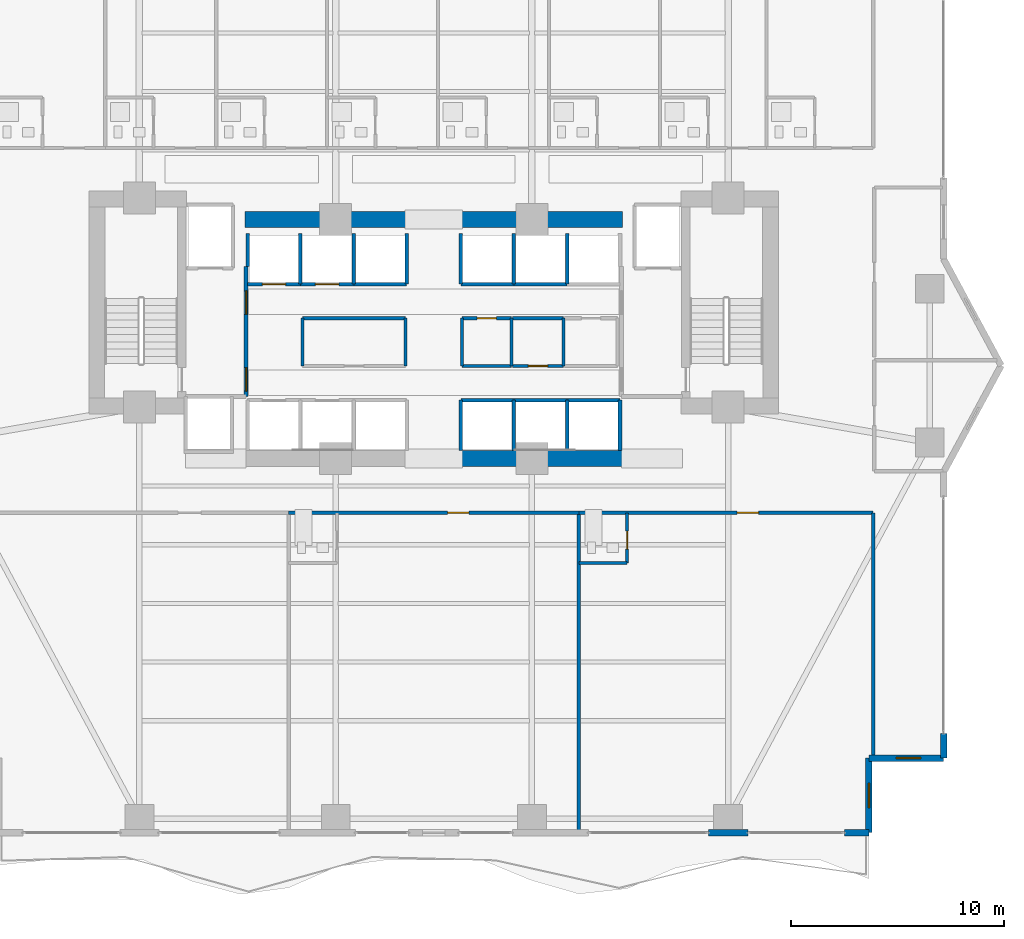
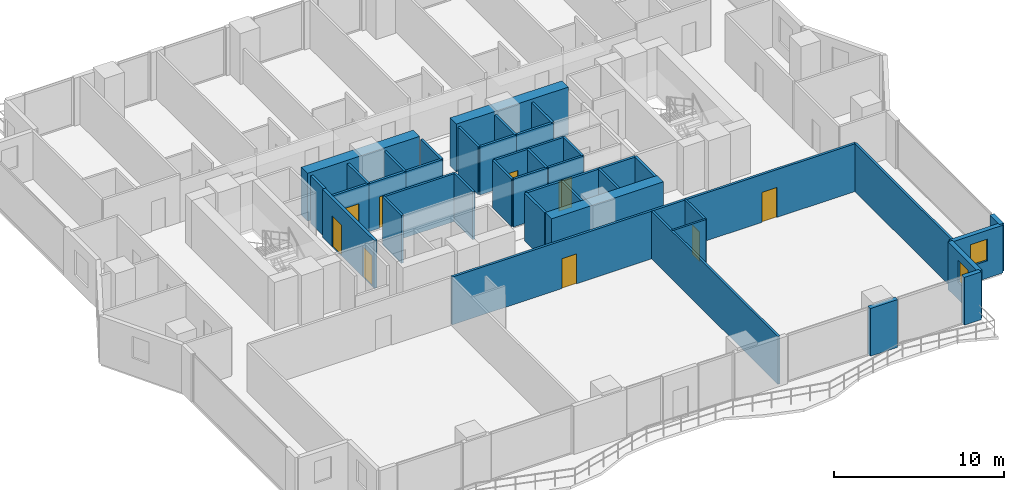
# One storey, part 22 of 29: 44 walls, 9 doors, 2 windows, 11 openings.
"""IFC4 building model written with IfcOpenShell, lengths in metres."""

from ifc_helpers import new_model, si_unit, direction, frame, frame_2d, origin, place, context, subcontext, project, spatial, rectangle, extrude, material, layer, layer_set, type_object, element, fill, save


model = new_model("IFC4")

# Units and contexts
model_context = context("Model", 3, precision=1e-05, world=origin(), true_north=direction((0.0, 1.0)))
body_context = subcontext(model_context, "Body", "Model", "MODEL_VIEW")
ifc_project = project(units=[si_unit("LENGTHUNIT", "METRE"), si_unit("AREAUNIT", "SQUARE_METRE"), si_unit("VOLUMEUNIT", "CUBIC_METRE"), si_unit("PLANEANGLEUNIT", "RADIAN"), si_unit("MASSUNIT", "GRAM", prefix="KILO")], contexts=[model_context])

# Site, building, storey
site_placement = place(None, origin())
site = spatial("IfcSite", under=ifc_project, at=site_placement, CompositionType="ELEMENT")
building_placement = place(site_placement, origin())
building = spatial("IfcBuilding", under=site, at=building_placement, Name="Zuhayl Quay Hotel", CompositionType="ELEMENT")
storey_placement = place(building_placement, frame((0.0, 0.0, 113.89990234375)))
storey = spatial("IfcBuildingStorey", under=building, at=storey_placement, Name="L28", CompositionType="ELEMENT", Elevation=113.89990234375)

# Walls
ifc_material_1 = material(Name="Concrete C60/75", Category="concrete")
ifc_layer_1 = layer(ifc_material_1, 0.75, Name="Concrete C60/75", Category="concrete")
ifc_layer_set_1 = layer_set([ifc_layer_1], Name="Concrete C60/75")
wall_type_1 = type_object("IfcWallType", Name="WL_CORE_750", PredefinedType="SHEAR", material=ifc_layer_set_1)
for number, where, z_axis, x_axis, name in (
    (1, (1.25, 2.14990234375, 0.0), (0.0, 0.0, 1.0), (1.0, 0.0, 0.0), "L28 Core Shear Wall CW_SC_E"),
    (2, (-8.85009765625, 13.35009765625, 0.0), (0.0, 0.0, 1.0), (1.0, 0.0, 0.0), "L28 Core Shear Wall CW_NC_W"),
    (3, (1.25, 13.35009765625, 0.0), (0.0, 0.0, 1.0), (1.0, 0.0, 0.0), "L28 Core Shear Wall CW_NC_E"),
):
    element("IfcWall", number, at=place(storey_placement, frame(where, z_axis=z_axis, x_axis=x_axis)), inside=storey, type_object=wall_type_1, Name=name, PredefinedType="SHEAR", context=body_context, shape_type="SweptSolid", body=[
        extrude(rectangle(XDim=7.60009765625, YDim=0.75, at=frame_2d((3.800048828125, 0.0))), origin(), (0.0, 0.0, 1.0), 3.43017578125),
    ])
ifc_material_2 = material(Name="Precast concrete C45/55", Category="concrete")
ifc_layer_2 = layer(ifc_material_2, 0.300048828125, Name="Precast concrete C45/55", Category="concrete")
ifc_layer_set_2 = layer_set([ifc_layer_2], Name="Precast concrete C45/55")
wall_type_2 = type_object("IfcWallType", Name="WL_EXT_300", PredefinedType="STANDARD", material=ifc_layer_set_2)
wall_1_placement = place(storey_placement, frame((23.89990234375, -10.75, 0.0), z_axis=(0.0, 0.0, 1.0), x_axis=(0.0, -1.0, 0.0)))
element("IfcWall", 4, at=wall_1_placement, inside=storey, type_object=wall_type_2, Name="L28 Exterior Precast Wall ENV_L28_E14_EW2", PredefinedType="STANDARD", context=body_context, shape_type="SweptSolid", body=[
    extrude(rectangle(XDim=1.14990234375, YDim=0.300048828125, at=frame_2d((0.574951171875, 0.0))), origin(), (0.0, 0.0, 1.0), 3.43017578125),
])

# Wall, opening, window
wall_2_placement = place(storey_placement, frame((23.89990234375, -11.89990234375, 0.0), z_axis=(0.0, 0.0, 1.0), x_axis=(-1.0, 0.0, 0.0)))
wall_2 = element("IfcWall", 5, at=wall_2_placement, inside=storey, type_object=wall_type_2, Name="L28 Exterior Precast Wall ENV_L28_EW15", PredefinedType="STANDARD", context=body_context, shape_type="SweptSolid", body=[
    extrude(rectangle(XDim=3.5, YDim=0.300048828125, at=frame_2d((1.75, 0.0))), origin(), (0.0, 0.0, 1.0), 3.43017578125),
])
opening_1_placement = place(wall_2_placement, frame((1.06494140625, 0.0, 1.25)))
opening_1 = element("IfcOpeningElement", 6, at=opening_1_placement, cuts=wall_2, Name="Opening W01N", PredefinedType="OPENING", context=body_context, shape_type="SweptSolid", body=[
    extrude(rectangle(XDim=1.14990234375, YDim=1.550048828125, at=frame_2d((0.574951171875, 0.77490234375))), frame((0.0, 0.159912109375, 0.0), z_axis=(0.0, -1.0, 0.0), x_axis=(1.0, 0.0, 0.0)), (0.0, 0.0, 1.0), 0.320068359375),
])
ifc_material_3 = material(Name="Dark Ceramic-Fritted Solar Glass", Category="glass")
window_type = type_object("IfcWindowType", Name="WN_NOTCH_1350", PartitioningType="SINGLE_PANEL", PredefinedType="WINDOW", material=ifc_material_3)
window_1_placement = place(opening_1_placement, origin())
window_1 = element("IfcWindow", 7, at=window_1_placement, inside=storey, type_object=window_type, Name="L28 Corner Notch Window 15", OverallHeight=1.550048828125, OverallWidth=1.14990234375, PartitioningType="SINGLE_PANEL", PredefinedType="WINDOW", context=body_context, shape_type="SweptSolid", body=[
    extrude(rectangle(XDim=1.14990234375, YDim=1.550048828125, at=frame_2d((0.574951171875, 0.77490234375))), frame((0.0, 0.030029296875, 0.0), z_axis=(0.0, -1.0, 0.0), x_axis=(1.0, 0.0, 0.0)), (0.0, 0.0, 1.0), 0.06005859375),
])
fill(opening_1, window_1)

wall_3_placement = place(storey_placement, frame((20.39990234375, -11.89990234375, 0.0), z_axis=(0.0, 0.0, 1.0), x_axis=(0.0, -1.0, 0.0)))
wall_3 = element("IfcWall", 8, at=wall_3_placement, inside=storey, type_object=wall_type_2, Name="L28 Exterior Precast Wall ENV_L28_EW16", PredefinedType="STANDARD", context=body_context, shape_type="SweptSolid", body=[
    extrude(rectangle(XDim=3.5, YDim=0.300048828125, at=frame_2d((1.75, 0.0))), origin(), (0.0, 0.0, 1.0), 3.43017578125),
])
opening_2_placement = place(wall_3_placement, frame((1.18505859375, 0.0, 1.25)))
opening_2 = element("IfcOpeningElement", 9, at=opening_2_placement, cuts=wall_3, Name="Opening W01N", PredefinedType="OPENING", context=body_context, shape_type="SweptSolid", body=[
    extrude(rectangle(XDim=1.14990234375, YDim=1.550048828125, at=frame_2d((0.574951171875, 0.77490234375))), frame((0.0, 0.159912109375, 0.0), z_axis=(0.0, -1.0, 0.0), x_axis=(1.0, 0.0, 0.0)), (0.0, 0.0, 1.0), 0.320068359375),
])
window_2_placement = place(opening_2_placement, origin())
window_2 = element("IfcWindow", 10, at=window_2_placement, inside=storey, type_object=window_type, Name="L28 Corner Notch Window 16", OverallHeight=1.550048828125, OverallWidth=1.14990234375, PartitioningType="SINGLE_PANEL", PredefinedType="WINDOW", context=body_context, shape_type="SweptSolid", body=[
    extrude(rectangle(XDim=1.14990234375, YDim=1.550048828125, at=frame_2d((0.574951171875, 0.77490234375))), frame((0.0, 0.030029296875, 0.0), z_axis=(0.0, -1.0, 0.0), x_axis=(1.0, 0.0, 0.0)), (0.0, 0.0, 1.0), 0.06005859375),
])
fill(opening_2, window_2)

# Walls
wall_4_placement = place(storey_placement, frame((20.39990234375, -15.39990234375, 0.0), z_axis=(0.0, 0.0, 1.0), x_axis=(-1.0, 0.0, 0.0)))
element("IfcWall", 11, at=wall_4_placement, inside=storey, type_object=wall_type_2, Name="L28 Exterior Precast Wall ENV_L28_S_EW1", PredefinedType="STANDARD", context=body_context, shape_type="SweptSolid", body=[
    extrude(rectangle(XDim=1.14990234375, YDim=0.300048828125, at=frame_2d((0.574951171875, 0.0))), origin(), (0.0, 0.0, 1.0), 3.43017578125),
])
wall_5_placement = place(storey_placement, frame((14.719970703125, -15.39990234375, 0.0), z_axis=(0.0, 0.0, 1.0), x_axis=(-1.0, 0.0, 0.0)))
element("IfcWall", 12, at=wall_5_placement, inside=storey, type_object=wall_type_2, Name="L28 Exterior Precast Wall ENV_L28_S_EW2", PredefinedType="STANDARD", context=body_context, shape_type="SweptSolid", body=[
    extrude(rectangle(XDim=1.840087890625, YDim=0.300048828125, at=frame_2d((0.919921875, 0.0))), origin(), (0.0, 0.0, 1.0), 3.43017578125),
])

# Wall, opening, door
ifc_material_4 = material(Name="Acoustic Gypsum Partition STC-58")
ifc_layer_3 = layer(ifc_material_4, 0.14990234375, Name="Acoustic Gypsum Partition STC-58")
ifc_layer_set_3 = layer_set([ifc_layer_3], Name="Acoustic Gypsum Partition STC-58")
wall_type_3 = type_object("IfcWallType", Name="WL_PART_150", PredefinedType="PARTITIONING", material=ifc_layer_set_3)
wall_6_placement = place(storey_placement, frame((1.320068359375, 8.719970703125, 0.0), z_axis=(0.0, 0.0, 1.0), x_axis=(1.0, 0.0, 0.0)))
wall_6 = element("IfcWall", 13, at=wall_6_placement, inside=storey, type_object=wall_type_3, Name="L28 Partition IW_L28_CORE_E1_N", PredefinedType="PARTITIONING", context=body_context, shape_type="SweptSolid", body=[
    extrude(rectangle(XDim=2.31982421875, YDim=0.14990234375, at=frame_2d((1.159912109375, 0.0))), origin(), (0.0, 0.0, 1.0), 3.43017578125),
])
opening_3_placement = place(wall_6_placement, frame((0.7099609375, 0.0, 0.0)))
opening_3 = element("IfcOpeningElement", 14, at=opening_3_placement, cuts=wall_6, Name="Opening D06", PredefinedType="OPENING", context=body_context, shape_type="SweptSolid", body=[
    extrude(rectangle(XDim=0.89990234375, YDim=2.14990234375, at=frame_2d((0.449951171875, 1.074951171875))), frame((0.0, 0.0849609375, 0.0), z_axis=(0.0, -1.0, 0.0), x_axis=(1.0, 0.0, 0.0)), (0.0, 0.0, 1.0), 0.169921875),
])
ifc_material_5 = material(Name="Steel ASTM A992 Grade 50", Category="steel")
door_type_1 = type_object("IfcDoorType", Name="DR_INT_900", OperationType="NOTDEFINED", PredefinedType="DOOR", material=ifc_material_5)
door_1_placement = place(opening_3_placement, origin())
door_1 = element("IfcDoor", 15, at=door_1_placement, inside=storey, type_object=door_type_1, Name="L28 Floor Electrical Closet Door", OperationType="SINGLE_SWING_RIGHT", OverallHeight=2.14990234375, OverallWidth=0.89990234375, PredefinedType="DOOR", context=body_context, shape_type="SweptSolid", body=[
    extrude(rectangle(XDim=0.89990234375, YDim=2.14990234375, at=frame_2d((0.449951171875, 1.074951171875))), frame((0.0, 0.02490234375, 0.0), z_axis=(0.0, -1.0, 0.0), x_axis=(1.0, 0.0, 0.0)), (0.0, 0.0, 1.0), 0.050048828125),
])
fill(opening_3, door_1)

wall_7_placement = place(storey_placement, frame((3.699951171875, 6.47998046875, 0.0), z_axis=(0.0, 0.0, 1.0), x_axis=(1.0, 0.0, 0.0)))
wall_7 = element("IfcWall", 16, at=wall_7_placement, inside=storey, type_object=wall_type_3, Name="L28 Partition IW_L28_CORE_E2_S", PredefinedType="PARTITIONING", context=body_context, shape_type="SweptSolid", body=[
    extrude(rectangle(XDim=2.380126953125, YDim=0.14990234375, at=frame_2d((1.18994140625, 0.0))), origin(), (0.0, 0.0, 1.0), 3.43017578125),
])
opening_4_placement = place(wall_7_placement, frame((0.739990234375, 0.0, 0.0)))
opening_4 = element("IfcOpeningElement", 17, at=opening_4_placement, cuts=wall_7, Name="Opening D06", PredefinedType="OPENING", context=body_context, shape_type="SweptSolid", body=[
    extrude(rectangle(XDim=0.89990234375, YDim=2.14990234375, at=frame_2d((0.449951171875, 1.074951171875))), frame((0.0, 0.0849609375, 0.0), z_axis=(0.0, -1.0, 0.0), x_axis=(1.0, 0.0, 0.0)), (0.0, 0.0, 1.0), 0.169921875),
])
door_2_placement = place(opening_4_placement, origin())
door_2 = element("IfcDoor", 18, at=door_2_placement, inside=storey, type_object=door_type_1, Name="L28 Data Closet Door", OperationType="SINGLE_SWING_LEFT", OverallHeight=2.14990234375, OverallWidth=0.89990234375, PredefinedType="DOOR", context=body_context, shape_type="SweptSolid", body=[
    extrude(rectangle(XDim=0.89990234375, YDim=2.14990234375, at=frame_2d((0.449951171875, 1.074951171875))), frame((0.0, 0.02490234375, 0.0), z_axis=(0.0, -1.0, 0.0), x_axis=(1.0, 0.0, 0.0)), (0.0, 0.0, 1.0), 0.050048828125),
])
fill(opening_4, door_2)

# Walls
wall_8_placement = place(storey_placement, frame((-6.159912109375, 8.719970703125, 0.0), z_axis=(0.0, 0.0, 1.0), x_axis=(1.0, 0.0, 0.0)))
element("IfcWall", 19, at=wall_8_placement, inside=storey, type_object=wall_type_3, Name="L28 Partition IW_L28_CORE_SV_N", PredefinedType="PARTITIONING", context=body_context, shape_type="SweptSolid", body=[
    extrude(rectangle(XDim=4.83984375, YDim=0.14990234375, at=frame_2d((2.419921875, 0.0))), origin(), (0.0, 0.0, 1.0), 3.43017578125),
])
for number, where, z_axis, x_axis, name in (
    (20, (-6.159912109375, 6.47998046875, 0.0), (0.0, 0.0, 1.0), (0.0, 1.0, 0.0), "L28 Partition IW_L28_CORE_SV_W"),
    (21, (-1.320068359375, 6.47998046875, 0.0), (0.0, 0.0, 1.0), (0.0, 1.0, 0.0), "L28 Partition IW_L28_CORE_SV_E"),
):
    element("IfcWall", number, at=place(storey_placement, frame(where, z_axis=z_axis, x_axis=x_axis)), inside=storey, type_object=wall_type_3, Name=name, PredefinedType="PARTITIONING", context=body_context, shape_type="SweptSolid", body=[
        extrude(rectangle(XDim=2.239990234375, YDim=0.14990234375, at=frame_2d((1.1201171875, 0.0))), origin(), (0.0, 0.0, 1.0), 3.43017578125),
    ])
wall_9_placement = place(storey_placement, frame((1.320068359375, 6.47998046875, 0.0), z_axis=(0.0, 0.0, 1.0), x_axis=(1.0, 0.0, 0.0)))
element("IfcWall", 22, at=wall_9_placement, inside=storey, type_object=wall_type_3, Name="L28 Partition IW_L28_CORE_E1_S", PredefinedType="PARTITIONING", context=body_context, shape_type="SweptSolid", body=[
    extrude(rectangle(XDim=2.31982421875, YDim=0.14990234375, at=frame_2d((1.159912109375, 0.0))), origin(), (0.0, 0.0, 1.0), 3.43017578125),
])
for number, where, z_axis, x_axis, name in (
    (23, (1.320068359375, 6.47998046875, 0.0), (0.0, 0.0, 1.0), (0.0, 1.0, 0.0), "L28 Partition IW_L28_CORE_E1_W"),
    (24, (3.639892578125, 6.47998046875, 0.0), (0.0, 0.0, 1.0), (0.0, 1.0, 0.0), "L28 Partition IW_L28_CORE_E1_E"),
):
    element("IfcWall", number, at=place(storey_placement, frame(where, z_axis=z_axis, x_axis=x_axis)), inside=storey, type_object=wall_type_3, Name=name, PredefinedType="PARTITIONING", context=body_context, shape_type="SweptSolid", body=[
        extrude(rectangle(XDim=2.239990234375, YDim=0.14990234375, at=frame_2d((1.1201171875, 0.0))), origin(), (0.0, 0.0, 1.0), 3.43017578125),
    ])
wall_10_placement = place(storey_placement, frame((3.699951171875, 8.719970703125, 0.0), z_axis=(0.0, 0.0, 1.0), x_axis=(1.0, 0.0, 0.0)))
element("IfcWall", 25, at=wall_10_placement, inside=storey, type_object=wall_type_3, Name="L28 Partition IW_L28_CORE_E2_N", PredefinedType="PARTITIONING", context=body_context, shape_type="SweptSolid", body=[
    extrude(rectangle(XDim=2.380126953125, YDim=0.14990234375, at=frame_2d((1.18994140625, 0.0))), origin(), (0.0, 0.0, 1.0), 3.43017578125),
])
wall_11_placement = place(storey_placement, frame((6.080078125, 6.47998046875, 0.0), z_axis=(0.0, 0.0, 1.0), x_axis=(0.0, 1.0, 0.0)))
element("IfcWall", 26, at=wall_11_placement, inside=storey, type_object=wall_type_3, Name="L28 Partition IW_L28_CORE_E2_E", PredefinedType="PARTITIONING", context=body_context, shape_type="SweptSolid", body=[
    extrude(rectangle(XDim=2.239990234375, YDim=0.14990234375, at=frame_2d((1.1201171875, 0.0))), origin(), (0.0, 0.0, 1.0), 3.43017578125),
])
wall_12_placement = place(storey_placement, frame((6.800048828125, -15.320068359375, 0.0), z_axis=(0.0, 0.0, 1.0), x_axis=(0.0, 1.0, 0.0)))
element("IfcWall", 27, at=wall_12_placement, inside=storey, type_object=wall_type_3, Name="L28 Partition IW_L28_SU02_E", PredefinedType="PARTITIONING", context=body_context, shape_type="SweptSolid", body=[
    extrude(rectangle(XDim=14.920166015625, YDim=0.14990234375, at=frame_2d((7.4599609375, 0.0))), origin(), (0.0, 0.0, 1.0), 3.43017578125),
])
wall_13_placement = place(storey_placement, frame((20.60009765625, -11.89990234375, 0.0), z_axis=(0.0, 0.0, 1.0), x_axis=(0.0, 1.0, 0.0)))
element("IfcWall", 28, at=wall_13_placement, inside=storey, type_object=wall_type_3, Name="L28 Partition IW_L28_SU03_E", PredefinedType="PARTITIONING", context=body_context, shape_type="SweptSolid", body=[
    extrude(rectangle(XDim=11.5, YDim=0.14990234375, at=frame_2d((5.75, 0.0))), origin(), (0.0, 0.0, 1.0), 3.43017578125),
])

# Wall, opening, door
ifc_layer_4 = layer(ifc_material_4, 0.159912109375, Name="Acoustic Gypsum Partition STC-58")
ifc_layer_set_4 = layer_set([ifc_layer_4], Name="Acoustic Gypsum Partition STC-58")
wall_type_4 = type_object("IfcWallType", Name="WL_PART_CORR_160", PredefinedType="PARTITIONING", material=ifc_layer_set_4)
wall_14_placement = place(storey_placement, frame((-6.800048828125, -0.39990234375, 0.0), z_axis=(0.0, 0.0, 1.0), x_axis=(1.0, 0.0, 0.0)))
wall_14 = element("IfcWall", 29, at=wall_14_placement, inside=storey, type_object=wall_type_4, Name="L28 Partition IW_L28_SU02_COR", PredefinedType="PARTITIONING", context=body_context, shape_type="SweptSolid", body=[
    extrude(rectangle(XDim=13.60009765625, YDim=0.159912109375, at=frame_2d((6.800048828125, 0.0))), origin(), (0.0, 0.0, 1.0), 3.43017578125),
])
opening_5_placement = place(wall_14_placement, frame((7.449951171875, 0.0, 0.0)))
opening_5 = element("IfcOpeningElement", 30, at=opening_5_placement, cuts=wall_14, Name="Opening D03L", PredefinedType="OPENING", context=body_context, shape_type="SweptSolid", body=[
    extrude(rectangle(XDim=1.0, YDim=2.14990234375, at=frame_2d((0.5, 1.074951171875))), frame((0.0, 0.08984375, 0.0), z_axis=(0.0, -1.0, 0.0), x_axis=(1.0, 0.0, 0.0)), (0.0, 0.0, 1.0), 0.179931640625),
])
ifc_material_6 = material(Name="Solid Walnut Acoustic Fire Door")
door_type_2 = type_object("IfcDoorType", Name="DR_SUITE_1000", OperationType="NOTDEFINED", PredefinedType="DOOR", material=ifc_material_6)
door_3_placement = place(opening_5_placement, origin())
door_3 = element("IfcDoor", 31, at=door_3_placement, inside=storey, type_object=door_type_2, Name="L28 City-View Junior Suite L28-02 Entrance Door", OperationType="SINGLE_SWING_LEFT", OverallHeight=2.14990234375, OverallWidth=1.0, PredefinedType="DOOR", context=body_context, shape_type="SweptSolid", body=[
    extrude(rectangle(XDim=1.0, YDim=2.14990234375, at=frame_2d((0.5, 1.074951171875))), frame((0.0, 0.02490234375, 0.0), z_axis=(0.0, -1.0, 0.0), x_axis=(1.0, 0.0, 0.0)), (0.0, 0.0, 1.0), 0.050048828125),
])
fill(opening_5, door_3)

wall_15_placement = place(storey_placement, frame((6.800048828125, -0.39990234375, 0.0), z_axis=(0.0, 0.0, 1.0), x_axis=(1.0, 0.0, 0.0)))
wall_15 = element("IfcWall", 32, at=wall_15_placement, inside=storey, type_object=wall_type_4, Name="L28 Partition IW_L28_SU03_COR", PredefinedType="PARTITIONING", context=body_context, shape_type="SweptSolid", body=[
    extrude(rectangle(XDim=13.800048828125, YDim=0.159912109375, at=frame_2d((6.89990234375, 0.0))), origin(), (0.0, 0.0, 1.0), 3.43017578125),
])
opening_6_placement = place(wall_15_placement, frame((7.425048828125, 0.0, 0.0)))
opening_6 = element("IfcOpeningElement", 33, at=opening_6_placement, cuts=wall_15, Name="Opening D03L", PredefinedType="OPENING", context=body_context, shape_type="SweptSolid", body=[
    extrude(rectangle(XDim=1.0, YDim=2.14990234375, at=frame_2d((0.5, 1.074951171875))), frame((0.0, 0.08984375, 0.0), z_axis=(0.0, -1.0, 0.0), x_axis=(1.0, 0.0, 0.0)), (0.0, 0.0, 1.0), 0.179931640625),
])
door_4_placement = place(opening_6_placement, origin())
door_4 = element("IfcDoor", 34, at=door_4_placement, inside=storey, type_object=door_type_2, Name="L28 City-View Junior Suite L28-03 Entrance Door", OperationType="SINGLE_SWING_LEFT", OverallHeight=2.14990234375, OverallWidth=1.0, PredefinedType="DOOR", context=body_context, shape_type="SweptSolid", body=[
    extrude(rectangle(XDim=1.0, YDim=2.14990234375, at=frame_2d((0.5, 1.074951171875))), frame((0.0, 0.02490234375, 0.0), z_axis=(0.0, -1.0, 0.0), x_axis=(1.0, 0.0, 0.0)), (0.0, 0.0, 1.0), 0.050048828125),
])
fill(opening_6, door_4)

ifc_material_7 = material(Name="Moisture-Resistant Sanitarychase Gypsum")
ifc_layer_5 = layer(ifc_material_7, 0.135009765625, Name="Moisture-Resistant Sanitarychase Gypsum")
ifc_layer_set_5 = layer_set([ifc_layer_5], Name="Moisture-Resistant Sanitarychase Gypsum")
wall_type_5 = type_object("IfcWallType", Name="WL_PART_PLUMB_150", PredefinedType="PLUMBINGWALL", material=ifc_layer_set_5)
wall_16_placement = place(storey_placement, frame((9.06005859375, -2.760009765625, 0.0), z_axis=(0.0, 0.0, 1.0), x_axis=(0.0, 1.0, 0.0)))
wall_16 = element("IfcWall", 35, at=wall_16_placement, inside=storey, type_object=wall_type_5, Name="L28 Partition IW_L28_SU03_BE", PredefinedType="PLUMBINGWALL", context=body_context, shape_type="SweptSolid", body=[
    extrude(rectangle(XDim=2.360107421875, YDim=0.135009765625, at=frame_2d((1.18017578125, 0.0))), origin(), (0.0, 0.0, 1.0), 3.43017578125),
])
opening_7_placement = place(wall_16_placement, frame((0.64990234375, 0.0, 0.0)))
opening_7 = element("IfcOpeningElement", 36, at=opening_7_placement, cuts=wall_16, Name="Opening D04", PredefinedType="OPENING", context=body_context, shape_type="SweptSolid", body=[
    extrude(rectangle(XDim=0.85009765625, YDim=2.10009765625, at=frame_2d((0.425048828125, 1.050048828125))), frame((0.0, 0.077392578125, 0.0), z_axis=(0.0, -1.0, 0.0), x_axis=(1.0, 0.0, 0.0)), (0.0, 0.0, 1.0), 0.155029296875),
])
ifc_material_8 = material(Name="Moisture-Resistant Walnut Veneer")
door_type_3 = type_object("IfcDoorType", Name="DR_BATH_850", OperationType="NOTDEFINED", PredefinedType="DOOR", material=ifc_material_8)
door_5_placement = place(opening_7_placement, origin())
door_5 = element("IfcDoor", 37, at=door_5_placement, inside=storey, type_object=door_type_3, Name="L28 City-View Junior Suite L28-03 En-Suite Door", OperationType="SINGLE_SWING_RIGHT", OverallHeight=2.10009765625, OverallWidth=0.85009765625, PredefinedType="DOOR", context=body_context, shape_type="SweptSolid", body=[
    extrude(rectangle(XDim=0.85009765625, YDim=2.10009765625, at=frame_2d((0.425048828125, 1.050048828125))), frame((0.0, 0.02490234375, 0.0), z_axis=(0.0, -1.0, 0.0), x_axis=(1.0, 0.0, 0.0)), (0.0, 0.0, 1.0), 0.050048828125),
])
fill(opening_7, door_5)

# Wall
wall_17_placement = place(storey_placement, frame((6.800048828125, -2.760009765625, 0.0), z_axis=(0.0, 0.0, 1.0), x_axis=(1.0, 0.0, 0.0)))
element("IfcWall", 38, at=wall_17_placement, inside=storey, type_object=wall_type_5, Name="L28 Partition IW_L28_SU03_BS", PredefinedType="PLUMBINGWALL", context=body_context, shape_type="SweptSolid", body=[
    extrude(rectangle(XDim=2.260009765625, YDim=0.135009765625, at=frame_2d((1.1298828125, 0.0))), origin(), (0.0, 0.0, 1.0), 3.43017578125),
])

# Wall, opening, door
ifc_material_9 = material(Name="Gypsum Fireboard Assembly EI-90")
ifc_layer_6 = layer(ifc_material_9, 0.1650390625, Name="Gypsum Fireboard Assembly EI-90")
ifc_layer_set_6 = layer_set([ifc_layer_6], Name="Gypsum Fireboard Assembly EI-90")
wall_type_6 = type_object("IfcWallType", Name="WL_PART_SHAFT_160", PredefinedType="PARTITIONING", material=ifc_layer_set_6)
wall_18_placement = place(storey_placement, frame((-8.72998046875, 10.320068359375, 0.0), z_axis=(0.0, 0.0, 1.0), x_axis=(1.0, 0.0, 0.0)))
wall_18 = element("IfcWall", 39, at=wall_18_placement, inside=storey, type_object=wall_type_6, Name="L28 Partition IW_L28_SH_LP3_F", PredefinedType="PARTITIONING", context=body_context, shape_type="SweptSolid", body=[
    extrude(rectangle(XDim=2.47998046875, YDim=0.1650390625, at=frame_2d((1.239990234375, 0.0))), origin(), (0.0, 0.0, 1.0), 3.43017578125),
])
opening_8_placement = place(wall_18_placement, frame((0.68994140625, 0.0, 0.0)))
opening_8 = element("IfcOpeningElement", 40, at=opening_8_placement, cuts=wall_18, Name="Opening LD1", PredefinedType="OPENING", context=body_context, shape_type="SweptSolid", body=[
    extrude(rectangle(XDim=1.10009765625, YDim=2.25, at=frame_2d((0.550048828125, 1.125))), frame((0.0, 0.092529296875, 0.0), z_axis=(0.0, -1.0, 0.0), x_axis=(1.0, 0.0, 0.0)), (0.0, 0.0, 1.0), 0.18505859375),
])
ifc_material_10 = material(Name="Brushed Stainless Steel", Category="steel")
door_type_4 = type_object("IfcDoorType", Name="DR_LIFT_PASS_1100", OperationType="SLIDING_TO_LEFT", PredefinedType="DOOR", material=ifc_material_10)
door_6_placement = place(opening_8_placement, origin())
door_6 = element("IfcDoor", 41, at=door_6_placement, inside=storey, type_object=door_type_4, Name="L28 Lift LP3 Sliding Landing Door", OperationType="SLIDING_TO_LEFT", OverallHeight=2.25, OverallWidth=1.10009765625, PredefinedType="DOOR", context=body_context, shape_type="SweptSolid", body=[
    extrude(rectangle(XDim=1.10009765625, YDim=2.25, at=frame_2d((0.550048828125, 1.125))), frame((0.0, 0.02490234375, 0.0), z_axis=(0.0, -1.0, 0.0), x_axis=(1.0, 0.0, 0.0)), (0.0, 0.0, 1.0), 0.050048828125),
])
fill(opening_8, door_6)

wall_19_placement = place(storey_placement, frame((-6.25, 10.320068359375, 0.0), z_axis=(0.0, 0.0, 1.0), x_axis=(1.0, 0.0, 0.0)))
wall_19 = element("IfcWall", 42, at=wall_19_placement, inside=storey, type_object=wall_type_6, Name="L28 Partition IW_L28_SH_LP4_F", PredefinedType="PARTITIONING", context=body_context, shape_type="SweptSolid", body=[
    extrude(rectangle(XDim=2.5, YDim=0.1650390625, at=frame_2d((1.25, 0.0))), origin(), (0.0, 0.0, 1.0), 3.43017578125),
])
opening_9_placement = place(wall_19_placement, frame((0.699951171875, 0.0, 0.0)))
opening_9 = element("IfcOpeningElement", 43, at=opening_9_placement, cuts=wall_19, Name="Opening LD1", PredefinedType="OPENING", context=body_context, shape_type="SweptSolid", body=[
    extrude(rectangle(XDim=1.10009765625, YDim=2.25, at=frame_2d((0.550048828125, 1.125))), frame((0.0, 0.092529296875, 0.0), z_axis=(0.0, -1.0, 0.0), x_axis=(1.0, 0.0, 0.0)), (0.0, 0.0, 1.0), 0.18505859375),
])
door_7_placement = place(opening_9_placement, origin())
door_7 = element("IfcDoor", 44, at=door_7_placement, inside=storey, type_object=door_type_4, Name="L28 Lift LP4 Sliding Landing Door", OperationType="SLIDING_TO_LEFT", OverallHeight=2.25, OverallWidth=1.10009765625, PredefinedType="DOOR", context=body_context, shape_type="SweptSolid", body=[
    extrude(rectangle(XDim=1.10009765625, YDim=2.25, at=frame_2d((0.550048828125, 1.125))), frame((0.0, 0.02490234375, 0.0), z_axis=(0.0, -1.0, 0.0), x_axis=(1.0, 0.0, 0.0)), (0.0, 0.0, 1.0), 0.050048828125),
])
fill(opening_9, door_7)

# Walls
wall_20_placement = place(storey_placement, frame((-8.72998046875, 11.14990234375, 0.0), z_axis=(0.0, 0.0, 1.0), x_axis=(0.0, 1.0, 0.0)))
element("IfcWall", 45, at=wall_20_placement, inside=storey, type_object=wall_type_6, Name="L28 Partition IW_L28_SH_LP3_W", PredefinedType="PARTITIONING", context=body_context, shape_type="SweptSolid", body=[
    extrude(rectangle(XDim=1.530029296875, YDim=0.1650390625, at=frame_2d((0.76513671875, 0.0))), origin(), (0.0, 0.0, 1.0), 3.43017578125),
])
for number, where, z_axis, x_axis, name in (
    (46, (-6.25, 10.320068359375, 0.0), (0.0, 0.0, 1.0), (0.0, 1.0, 0.0), "L28 Partition IW_L28_SH_LP3_E"),
    (47, (-3.75, 10.320068359375, 0.0), (0.0, 0.0, 1.0), (0.0, 1.0, 0.0), "L28 Partition IW_L28_SH_LP4_E"),
):
    element("IfcWall", number, at=place(storey_placement, frame(where, z_axis=z_axis, x_axis=x_axis)), inside=storey, type_object=wall_type_6, Name=name, PredefinedType="PARTITIONING", context=body_context, shape_type="SweptSolid", body=[
        extrude(rectangle(XDim=2.35986328125, YDim=0.1650390625, at=frame_2d((1.179931640625, 0.0))), origin(), (0.0, 0.0, 1.0), 3.43017578125),
    ])
wall_21_placement = place(storey_placement, frame((1.27001953125, 4.8798828125, 0.0), z_axis=(0.0, 0.0, 1.0), x_axis=(1.0, 0.0, 0.0)))
element("IfcWall", 48, at=wall_21_placement, inside=storey, type_object=wall_type_6, Name="L28 Partition IW_L28_SH_MP2_F", PredefinedType="PARTITIONING", context=body_context, shape_type="SweptSolid", body=[
    extrude(rectangle(XDim=2.47998046875, YDim=0.1650390625, at=frame_2d((1.239990234375, 0.0))), origin(), (0.0, 0.0, 1.0), 3.43017578125),
])
for number, where, z_axis, x_axis, name in (
    (49, (1.27001953125, 2.52001953125, 0.0), (0.0, 0.0, 1.0), (0.0, 1.0, 0.0), "L28 Partition IW_L28_SH_MP2_W"),
    (50, (3.75, 2.52001953125, 0.0), (0.0, 0.0, 1.0), (0.0, 1.0, 0.0), "L28 Partition IW_L28_SH_MP2_E"),
):
    element("IfcWall", number, at=place(storey_placement, frame(where, z_axis=z_axis, x_axis=x_axis)), inside=storey, type_object=wall_type_6, Name=name, PredefinedType="PARTITIONING", context=body_context, shape_type="SweptSolid", body=[
        extrude(rectangle(XDim=2.35986328125, YDim=0.1650390625, at=frame_2d((1.179931640625, 0.0))), origin(), (0.0, 0.0, 1.0), 3.43017578125),
    ])
wall_22_placement = place(storey_placement, frame((-3.75, 10.320068359375, 0.0), z_axis=(0.0, 0.0, 1.0), x_axis=(1.0, 0.0, 0.0)))
element("IfcWall", 51, at=wall_22_placement, inside=storey, type_object=wall_type_6, Name="L28 Partition IW_L28_SH_MP3_F", PredefinedType="PARTITIONING", context=body_context, shape_type="SweptSolid", body=[
    extrude(rectangle(XDim=2.47998046875, YDim=0.1650390625, at=frame_2d((1.239990234375, 0.0))), origin(), (0.0, 0.0, 1.0), 3.43017578125),
])
wall_23_placement = place(storey_placement, frame((-1.27001953125, 10.320068359375, 0.0), z_axis=(0.0, 0.0, 1.0), x_axis=(0.0, 1.0, 0.0)))
element("IfcWall", 52, at=wall_23_placement, inside=storey, type_object=wall_type_6, Name="L28 Partition IW_L28_SH_MP3_E", PredefinedType="PARTITIONING", context=body_context, shape_type="SweptSolid", body=[
    extrude(rectangle(XDim=2.35986328125, YDim=0.1650390625, at=frame_2d((1.179931640625, 0.0))), origin(), (0.0, 0.0, 1.0), 3.43017578125),
])
wall_24_placement = place(storey_placement, frame((1.27001953125, 10.320068359375, 0.0), z_axis=(0.0, 0.0, 1.0), x_axis=(1.0, 0.0, 0.0)))
element("IfcWall", 53, at=wall_24_placement, inside=storey, type_object=wall_type_6, Name="L28 Partition IW_L28_SH_MP4_F", PredefinedType="PARTITIONING", context=body_context, shape_type="SweptSolid", body=[
    extrude(rectangle(XDim=2.47998046875, YDim=0.1650390625, at=frame_2d((1.239990234375, 0.0))), origin(), (0.0, 0.0, 1.0), 3.43017578125),
])
for number, where, z_axis, x_axis, name in (
    (54, (1.27001953125, 10.320068359375, 0.0), (0.0, 0.0, 1.0), (0.0, 1.0, 0.0), "L28 Partition IW_L28_SH_MP4_W"),
    (55, (3.75, 10.320068359375, 0.0), (0.0, 0.0, 1.0), (0.0, 1.0, 0.0), "L28 Partition IW_L28_SH_MP4_E"),
):
    element("IfcWall", number, at=place(storey_placement, frame(where, z_axis=z_axis, x_axis=x_axis)), inside=storey, type_object=wall_type_6, Name=name, PredefinedType="PARTITIONING", context=body_context, shape_type="SweptSolid", body=[
        extrude(rectangle(XDim=2.35986328125, YDim=0.1650390625, at=frame_2d((1.179931640625, 0.0))), origin(), (0.0, 0.0, 1.0), 3.43017578125),
    ])
wall_25_placement = place(storey_placement, frame((3.75, 4.8798828125, 0.0), z_axis=(0.0, 0.0, 1.0), x_axis=(1.0, 0.0, 0.0)))
element("IfcWall", 56, at=wall_25_placement, inside=storey, type_object=wall_type_6, Name="L28 Partition IW_L28_SH_HP1_F", PredefinedType="PARTITIONING", context=body_context, shape_type="SweptSolid", body=[
    extrude(rectangle(XDim=2.5, YDim=0.1650390625, at=frame_2d((1.25, 0.0))), origin(), (0.0, 0.0, 1.0), 3.43017578125),
])
wall_26_placement = place(storey_placement, frame((6.25, 2.52001953125, 0.0), z_axis=(0.0, 0.0, 1.0), x_axis=(0.0, 1.0, 0.0)))
element("IfcWall", 57, at=wall_26_placement, inside=storey, type_object=wall_type_6, Name="L28 Partition IW_L28_SH_HP1_E", PredefinedType="PARTITIONING", context=body_context, shape_type="SweptSolid", body=[
    extrude(rectangle(XDim=2.35986328125, YDim=0.1650390625, at=frame_2d((1.179931640625, 0.0))), origin(), (0.0, 0.0, 1.0), 3.43017578125),
])
wall_27_placement = place(storey_placement, frame((6.25, 4.8798828125, 0.0), z_axis=(0.0, 0.0, 1.0), x_axis=(1.0, 0.0, 0.0)))
element("IfcWall", 58, at=wall_27_placement, inside=storey, type_object=wall_type_6, Name="L28 Partition IW_L28_SH_HP2_F", PredefinedType="PARTITIONING", context=body_context, shape_type="SweptSolid", body=[
    extrude(rectangle(XDim=2.47998046875, YDim=0.1650390625, at=frame_2d((1.239990234375, 0.0))), origin(), (0.0, 0.0, 1.0), 3.43017578125),
])
wall_28_placement = place(storey_placement, frame((8.72998046875, 2.52001953125, 0.0), z_axis=(0.0, 0.0, 1.0), x_axis=(0.0, 1.0, 0.0)))
element("IfcWall", 59, at=wall_28_placement, inside=storey, type_object=wall_type_6, Name="L28 Partition IW_L28_SH_HP2_E", PredefinedType="PARTITIONING", context=body_context, shape_type="SweptSolid", body=[
    extrude(rectangle(XDim=2.35986328125, YDim=0.1650390625, at=frame_2d((1.179931640625, 0.0))), origin(), (0.0, 0.0, 1.0), 3.43017578125),
])
wall_29_placement = place(storey_placement, frame((3.75, 10.320068359375, 0.0), z_axis=(0.0, 0.0, 1.0), x_axis=(1.0, 0.0, 0.0)))
element("IfcWall", 60, at=wall_29_placement, inside=storey, type_object=wall_type_6, Name="L28 Partition IW_L28_SH_HP3_F", PredefinedType="PARTITIONING", context=body_context, shape_type="SweptSolid", body=[
    extrude(rectangle(XDim=2.5, YDim=0.1650390625, at=frame_2d((1.25, 0.0))), origin(), (0.0, 0.0, 1.0), 3.43017578125),
])
wall_30_placement = place(storey_placement, frame((6.25, 10.320068359375, 0.0), z_axis=(0.0, 0.0, 1.0), x_axis=(0.0, 1.0, 0.0)))
element("IfcWall", 61, at=wall_30_placement, inside=storey, type_object=wall_type_6, Name="L28 Partition IW_L28_SH_HP3_E", PredefinedType="PARTITIONING", context=body_context, shape_type="SweptSolid", body=[
    extrude(rectangle(XDim=2.35986328125, YDim=0.1650390625, at=frame_2d((1.179931640625, 0.0))), origin(), (0.0, 0.0, 1.0), 3.43017578125),
])

# Wall, openings, doors
ifc_material_11 = material(Name="Gypsum Fireboard Assembly EI-120")
ifc_layer_7 = layer(ifc_material_11, 0.199951171875, Name="Gypsum Fireboard Assembly EI-120")
ifc_layer_set_7 = layer_set([ifc_layer_7], Name="Gypsum Fireboard Assembly EI-120")
wall_type_7 = type_object("IfcWallType", Name="WL_PART_SHAFT_200", PredefinedType="PARTITIONING", material=ifc_layer_set_7)
wall_31_placement = place(storey_placement, frame((-8.800048828125, 5.050048828125, 0.0), z_axis=(0.0, 0.0, 1.0), x_axis=(0.0, 1.0, 0.0)))
wall_31 = element("IfcWall", 62, at=wall_31_placement, inside=storey, type_object=wall_type_7, Name="L28 Partition IW_L28_FSAE_W_E", PredefinedType="PARTITIONING", context=body_context, shape_type="SweptSolid", body=[
    extrude(rectangle(XDim=6.099853515625, YDim=0.199951171875, at=frame_2d((3.0498046875, 0.0))), origin(), (0.0, 0.0, 1.0), 3.43017578125),
])
opening_10_placement = place(wall_31_placement, frame((0.25, 0.0, 0.0)))
opening_10 = element("IfcOpeningElement", 63, at=opening_10_placement, cuts=wall_31, Name="Opening D02", PredefinedType="OPENING", context=body_context, shape_type="SweptSolid", body=[
    extrude(rectangle(XDim=1.10009765625, YDim=2.199951171875, at=frame_2d((0.550048828125, 1.10009765625))), frame((0.0, 0.10986328125, 0.0), z_axis=(0.0, -1.0, 0.0), x_axis=(1.0, 0.0, 0.0)), (0.0, 0.0, 1.0), 0.219970703125),
])
opening_11_placement = place(wall_31_placement, frame((3.85009765625, 0.0, 0.0)))
opening_11 = element("IfcOpeningElement", 64, at=opening_11_placement, cuts=wall_31, Name="Opening D02", PredefinedType="OPENING", context=body_context, shape_type="SweptSolid", body=[
    extrude(rectangle(XDim=1.10009765625, YDim=2.199951171875, at=frame_2d((0.550048828125, 1.10009765625))), frame((0.0, 0.10986328125, 0.0), z_axis=(0.0, -1.0, 0.0), x_axis=(1.0, 0.0, 0.0)), (0.0, 0.0, 1.0), 0.219970703125),
])
door_type_5 = type_object("IfcDoorType", Name="DR_FIRE_90_1100", OperationType="NOTDEFINED", PredefinedType="DOOR", material=ifc_material_5)
door_8_placement = place(opening_10_placement, origin())
door_8 = element("IfcDoor", 65, at=door_8_placement, inside=storey, type_object=door_type_5, Name="L28 FSAE Lobby West South Entry Door", OperationType="SINGLE_SWING_LEFT", OverallHeight=2.199951171875, OverallWidth=1.10009765625, PredefinedType="DOOR", context=body_context, shape_type="SweptSolid", body=[
    extrude(rectangle(XDim=1.10009765625, YDim=2.199951171875, at=frame_2d((0.550048828125, 1.10009765625))), frame((0.0, 0.02490234375, 0.0), z_axis=(0.0, -1.0, 0.0), x_axis=(1.0, 0.0, 0.0)), (0.0, 0.0, 1.0), 0.050048828125),
])
fill(opening_10, door_8)
door_9_placement = place(opening_11_placement, origin())
door_9 = element("IfcDoor", 66, at=door_9_placement, inside=storey, type_object=door_type_5, Name="L28 FSAE Lobby West North Entry Door", OperationType="SINGLE_SWING_RIGHT", OverallHeight=2.199951171875, OverallWidth=1.10009765625, PredefinedType="DOOR", context=body_context, shape_type="SweptSolid", body=[
    extrude(rectangle(XDim=1.10009765625, YDim=2.199951171875, at=frame_2d((0.550048828125, 1.10009765625))), frame((0.0, 0.02490234375, 0.0), z_axis=(0.0, -1.0, 0.0), x_axis=(1.0, 0.0, 0.0)), (0.0, 0.0, 1.0), 0.050048828125),
])
fill(opening_11, door_9)

save(model, "model.ifc")
